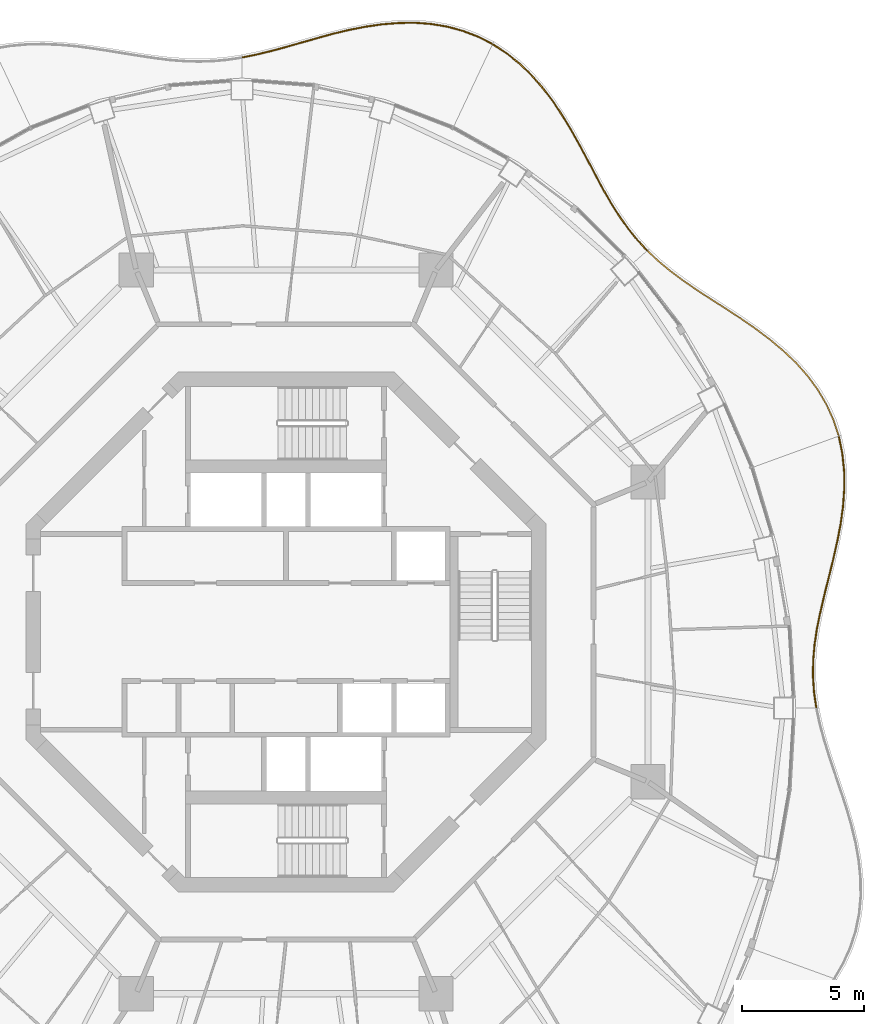
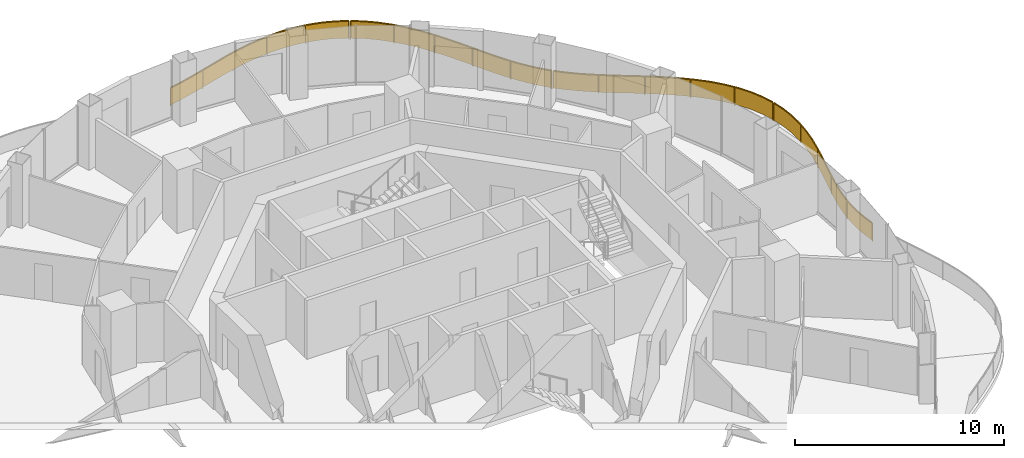
# One storey, part 17 of 17: 4 railings.
"""IFC4 building model written with IfcOpenShell, lengths in metres."""

from ifc_helpers import new_model, si_unit, direction, frame, origin, origin_2d, place, context, subcontext, project, spatial, polyline, rectangle, outline, extrude, material, type_object, element, save


model = new_model("IFC4")

# Units and contexts
model_context = context("Model", 3, precision=1e-05, world=origin(), true_north=direction((0.0, 1.0)))
body_context = subcontext(model_context, "Body", "Model", "MODEL_VIEW")
ifc_project = project(units=[si_unit("LENGTHUNIT", "METRE"), si_unit("AREAUNIT", "SQUARE_METRE"), si_unit("VOLUMEUNIT", "CUBIC_METRE"), si_unit("PLANEANGLEUNIT", "RADIAN"), si_unit("MASSUNIT", "GRAM", prefix="KILO")], contexts=[model_context])

# Site, building, storey
site_placement = place(None, origin())
site = spatial("IfcSite", under=ifc_project, at=site_placement, CompositionType="ELEMENT")
building_placement = place(site_placement, origin())
building = spatial("IfcBuilding", under=site, at=building_placement, Name="Nagisa Residences", CompositionType="ELEMENT")
storey_placement = place(building_placement, frame((0.0, 0.0, 288.10009765625)))
storey = spatial("IfcBuildingStorey", under=building, at=storey_placement, Name="L73", CompositionType="ELEMENT", Elevation=288.10009765625)

# Railings
ifc_material = material(Name="Stainless steel 316", Category="steel")
railing_type = type_object("IfcRailingType", Name="BALCONY GUARD 1100", PredefinedType="BALUSTRADE", material=ifc_material)
railing_1_placement = place(storey_placement, frame((21.653564453125, -3.0830078125, 0.0)))
element("IfcRailing", 1, at=railing_1_placement, inside=storey, type_object=railing_type, Name="guard:L73:bal00-0", PredefinedType="BALUSTRADE", context=body_context, shape_type="SweptSolid", body=[
    extrude(outline(polyline([(-0.11181640625, 0.6025390625), (-0.024658203125, -0.003662109375), (0.024658203125, 0.003662109375), (-0.06201171875, 0.60791015625), (-0.105224609375, 1.25146484375), (-0.098388671875, 1.897705078125), (-0.04296875, 2.550537109375), (0.055908203125, 3.213134765625), (0.192138671875, 3.87451171875), (0.35302734375, 4.563720703125), (0.528564453125, 5.267333984375), (0.706298828125, 5.985107421875), (0.8720703125, 6.71484375), (1.016357421875, 7.439697265625), (1.119140625, 8.18310546875), (1.17236328125, 8.926025390625), (1.165283203125, 9.662841796875), (1.09033203125, 10.3876953125), (0.95263671875, 11.0478515625), (0.90380859375, 11.03759765625), (1.041015625, 10.3798828125), (1.115478515625, 9.659912109375), (1.1220703125, 8.927490234375), (1.0693359375, 8.1884765625), (0.967041015625, 7.447998046875), (0.8232421875, 6.72509765625), (0.657470703125, 5.996826171875), (0.480224609375, 5.279541015625), (0.30419921875, 4.575439453125), (0.143310546875, 3.88525390625), (0.006591796875, 3.221923828125), (-0.0927734375, 2.556396484375), (-0.148193359375, 1.900146484375), (-0.155517578125, 1.25), (-0.11181640625, 0.6025390625)])), frame((0.0, 0.0, 1.050048828125)), (0.0, 0.0, 1.0), 0.050048828125),
    extrude(outline(polyline([(-0.093994140625, 0.6044921875), (-0.0068359375, -0.0009765625), (0.0068359375, 0.0009765625), (-0.079833984375, 0.60595703125), (-0.123291015625, 1.2509765625), (-0.1162109375, 1.898681640625), (-0.06103515625, 2.552734375), (0.0380859375, 3.21630859375), (0.174560546875, 3.87841796875), (0.33544921875, 4.56787109375), (0.51123046875, 5.271728515625), (0.688720703125, 5.9892578125), (0.8544921875, 6.718505859375), (0.99853515625, 7.442626953125), (1.101318359375, 8.18505859375), (1.154296875, 8.926513671875), (1.1474609375, 9.661865234375), (1.072509765625, 10.384765625), (0.93505859375, 11.044189453125), (0.92138671875, 11.041259765625), (1.058837890625, 10.3828125), (1.13330078125, 9.660888671875), (1.14013671875, 8.927001953125), (1.087158203125, 8.1865234375), (0.98486328125, 7.445068359375), (0.8408203125, 6.721435546875), (0.675048828125, 5.99267578125), (0.49755859375, 5.275146484375), (0.32177734375, 4.5712890625), (0.160888671875, 3.88134765625), (0.0244140625, 3.21875), (-0.07470703125, 2.55419921875), (-0.13037109375, 1.899169921875), (-0.137451171875, 1.25048828125), (-0.093994140625, 0.6044921875)])), frame((0.0, 0.0, 0.06005859375)), (0.0, 0.0, 1.0), 0.989990234375),
    extrude(rectangle(XDim=0.0400390625, YDim=0.0400390625, at=origin_2d()), origin(), (0.0, 0.0, 1.0), 1.050048828125),
    extrude(rectangle(XDim=0.0400390625, YDim=0.0400390625, at=origin_2d()), frame((-0.09521484375, 2.230224609375, 0.0)), (0.0, 0.0, 1.0), 1.050048828125),
    extrude(rectangle(XDim=0.0400390625, YDim=0.0400390625, at=origin_2d()), frame((0.296630859375, 4.43212890625, 0.0)), (0.0, 0.0, 1.0), 1.050048828125),
    extrude(rectangle(XDim=0.0400390625, YDim=0.0400390625, at=origin_2d()), frame((0.822265625, 6.608642578125, 0.0)), (0.0, 0.0, 1.0), 1.050048828125),
    extrude(rectangle(XDim=0.0400390625, YDim=0.0400390625, at=origin_2d()), frame((1.1396484375, 8.822021484375, 0.0)), (0.0, 0.0, 1.0), 1.050048828125),
    extrude(rectangle(XDim=0.0400390625, YDim=0.0400390625, at=origin_2d()), frame((0.92822265625, 11.042724609375, 0.0)), (0.0, 0.0, 1.0), 1.050048828125),
])
railing_2_placement = place(storey_placement, frame((22.56201171875, 8.03466796875, 0.0)))
element("IfcRailing", 2, at=railing_2_placement, inside=storey, type_object=railing_type, Name="guard:L73:bal01-0", PredefinedType="BALUSTRADE", context=body_context, shape_type="SweptSolid", body=[
    extrude(outline(polyline([(-0.223876953125, 0.606689453125), (-0.023681640625, -0.0078125), (0.023681640625, 0.0078125), (-0.177001953125, 0.624755859375), (-0.464111328125, 1.259765625), (-0.8193359375, 1.86376953125), (-1.238037109375, 2.4345703125), (-1.712890625, 2.97119140625), (-2.228759765625, 3.46044921875), (-2.788330078125, 3.9306640625), (-3.374267578125, 4.37158203125), (-3.975341796875, 4.7880859375), (-4.580078125, 5.185791015625), (-5.170166015625, 5.55908203125), (-5.75244140625, 5.93994140625), (-6.31103515625, 6.323486328125), (-6.840576171875, 6.717529296875), (-7.336181640625, 7.128173828125), (-7.767333984375, 7.533447265625), (-7.801513671875, 7.496826171875), (-7.369384765625, 7.090576171875), (-6.871337890625, 6.677978515625), (-6.34033203125, 6.282958984375), (-5.7802734375, 5.8984375), (-5.197021484375, 5.51708984375), (-4.607421875, 5.143798828125), (-4.003173828125, 4.74658203125), (-3.403564453125, 4.3310546875), (-2.819580078125, 3.8916015625), (-2.261962890625, 3.42333984375), (-1.7490234375, 2.9365234375), (-1.277099609375, 2.4033203125), (-0.861328125, 1.83642578125), (-0.508544921875, 1.23681640625), (-0.223876953125, 0.606689453125)])), frame((0.0, 0.0, 1.050048828125)), (0.0, 0.0, 1.0), 0.050048828125),
    extrude(outline(polyline([(-0.20703125, 0.61328125), (-0.006591796875, -0.002197265625), (0.006591796875, 0.002197265625), (-0.19384765625, 0.6181640625), (-0.480224609375, 1.25146484375), (-0.83447265625, 1.85400390625), (-1.252197265625, 2.42333984375), (-1.725830078125, 2.958740234375), (-2.24072265625, 3.447021484375), (-2.799560546875, 3.91650390625), (-3.384765625, 4.35693359375), (-3.9853515625, 4.773193359375), (-4.58984375, 5.170654296875), (-5.1796875, 5.5439453125), (-5.762451171875, 5.925048828125), (-6.321533203125, 6.308837890625), (-6.8515625, 6.703369140625), (-7.34814453125, 7.11474609375), (-7.779541015625, 7.520263671875), (-7.789306640625, 7.510009765625), (-7.357421875, 7.10400390625), (-6.8603515625, 6.692138671875), (-6.329833984375, 6.297607421875), (-5.770263671875, 5.913330078125), (-5.1875, 5.5322265625), (-4.59765625, 5.158935546875), (-3.9931640625, 4.761474609375), (-3.39306640625, 4.345703125), (-2.808349609375, 3.90576171875), (-2.25, 3.436767578125), (-1.736083984375, 2.948974609375), (-1.262939453125, 2.41455078125), (-0.84619140625, 1.84619140625), (-0.492431640625, 1.2451171875), (-0.20703125, 0.61328125)])), frame((0.0, 0.0, 0.06005859375)), (0.0, 0.0, 1.0), 0.989990234375),
    extrude(rectangle(XDim=0.0400390625, YDim=0.0400390625, at=origin_2d()), origin(), (0.0, 0.0, 1.0), 1.050048828125),
    extrude(rectangle(XDim=0.0400390625, YDim=0.0400390625, at=origin_2d()), frame((-0.941650390625, 1.988037109375, 0.0)), (0.0, 0.0, 1.0), 1.050048828125),
    extrude(rectangle(XDim=0.0400390625, YDim=0.0400390625, at=origin_2d()), frame((-2.439453125, 3.60498046875, 0.0)), (0.0, 0.0, 1.0), 1.050048828125),
    extrude(rectangle(XDim=0.0400390625, YDim=0.0400390625, at=origin_2d()), frame((-4.217041015625, 4.9169921875, 0.0)), (0.0, 0.0, 1.0), 1.050048828125),
    extrude(rectangle(XDim=0.0400390625, YDim=0.0400390625, at=origin_2d()), frame((-6.068115234375, 6.126220703125, 0.0)), (0.0, 0.0, 1.0), 1.050048828125),
    extrude(rectangle(XDim=0.0400390625, YDim=0.0400390625, at=origin_2d()), frame((-7.784423828125, 7.51513671875, 0.0)), (0.0, 0.0, 1.0), 1.050048828125),
])
railing_3_placement = place(storey_placement, frame((14.728759765625, 15.59814453125, 0.0)))
element("IfcRailing", 3, at=railing_3_placement, inside=storey, type_object=railing_type, Name="guard:L73:bal02-0", PredefinedType="BALUSTRADE", context=body_context, shape_type="SweptSolid", body=[
    extrude(outline(polyline([(-0.398681640625, 0.393310546875), (-0.018310546875, -0.01708984375), (0.018310546875, 0.01708984375), (-0.360595703125, 0.426025390625), (-0.739013671875, 0.893798828125), (-1.092529296875, 1.390869140625), (-1.426025390625, 1.91748046875), (-1.746337890625, 2.471435546875), (-2.04833984375, 3.038330078125), (-2.36376953125, 3.634521484375), (-2.688720703125, 4.242431640625), (-3.02978515625, 4.853515625), (-3.39404296875, 5.45947265625), (-3.775146484375, 6.0419921875), (-4.200927734375, 6.607177734375), (-4.66552734375, 7.138427734375), (-5.16845703125, 7.625732421875), (-5.71044921875, 8.06103515625), (-6.248779296875, 8.41162109375), (-6.276123046875, 8.36962890625), (-5.73974609375, 8.0205078125), (-5.20166015625, 7.588134765625), (-4.70166015625, 7.103759765625), (-4.239990234375, 6.575439453125), (-3.816162109375, 6.01318359375), (-3.4365234375, 5.43310546875), (-3.0732421875, 4.82861328125), (-2.732666015625, 4.218505859375), (-2.408203125, 3.611083984375), (-2.0927734375, 3.014892578125), (-1.790283203125, 2.447021484375), (-1.468994140625, 1.8916015625), (-1.134033203125, 1.363037109375), (-0.779052734375, 0.863525390625), (-0.398681640625, 0.393310546875)])), frame((0.0, 0.0, 1.050048828125)), (0.0, 0.0, 1.0), 0.050048828125),
    extrude(outline(polyline([(-0.385009765625, 0.405029296875), (-0.005126953125, -0.004638671875), (0.005126953125, 0.004638671875), (-0.374267578125, 0.414306640625), (-0.75341796875, 0.8828125), (-1.107421875, 1.380859375), (-1.44140625, 1.908203125), (-1.76220703125, 2.462646484375), (-2.064453125, 3.02978515625), (-2.3798828125, 3.6259765625), (-2.70458984375, 4.23388671875), (-3.04541015625, 4.844482421875), (-3.409423828125, 5.449951171875), (-3.7900390625, 6.031494140625), (-4.215087890625, 6.595703125), (-4.678466796875, 7.1259765625), (-5.180419921875, 7.6123046875), (-5.720947265625, 8.04638671875), (-6.258544921875, 8.396484375), (-6.266357421875, 8.384765625), (-5.729248046875, 8.03515625), (-5.189697265625, 7.6015625), (-4.688720703125, 7.1162109375), (-4.225830078125, 6.5869140625), (-3.80126953125, 6.023681640625), (-3.421142578125, 5.442626953125), (-3.0576171875, 4.837646484375), (-2.716796875, 4.22705078125), (-2.39208984375, 3.61962890625), (-2.07666015625, 3.0234375), (-1.7744140625, 2.455810546875), (-1.45361328125, 1.90087890625), (-1.119140625, 1.373046875), (-0.7646484375, 0.87451171875), (-0.385009765625, 0.405029296875)])), frame((0.0, 0.0, 0.06005859375)), (0.0, 0.0, 1.0), 0.989990234375),
    extrude(rectangle(XDim=0.0400390625, YDim=0.0400390625, at=origin_2d()), origin(), (0.0, 0.0, 1.0), 1.050048828125),
    extrude(rectangle(XDim=0.0400390625, YDim=0.0400390625, at=origin_2d()), frame((-1.29736328125, 1.667724609375, 0.0)), (0.0, 0.0, 1.0), 1.050048828125),
    extrude(rectangle(XDim=0.0400390625, YDim=0.0400390625, at=origin_2d()), frame((-2.329345703125, 3.515625, 0.0)), (0.0, 0.0, 1.0), 1.050048828125),
    extrude(rectangle(XDim=0.0400390625, YDim=0.0400390625, at=origin_2d()), frame((-3.36474609375, 5.362060546875, 0.0)), (0.0, 0.0, 1.0), 1.050048828125),
    extrude(rectangle(XDim=0.0400390625, YDim=0.0400390625, at=origin_2d()), frame((-4.62744140625, 7.056884765625, 0.0)), (0.0, 0.0, 1.0), 1.050048828125),
    extrude(rectangle(XDim=0.0400390625, YDim=0.0400390625, at=origin_2d()), frame((-6.262451171875, 8.390625, 0.0)), (0.0, 0.0, 1.0), 1.050048828125),
])
railing_4_placement = place(storey_placement, frame((8.3994140625, 24.027587890625, 0.0)))
element("IfcRailing", 4, at=railing_4_placement, inside=storey, type_object=railing_type, Name="guard:L73:bal03-0", PredefinedType="BALUSTRADE", context=body_context, shape_type="SweptSolid", body=[
    extrude(outline(polyline([(-0.556884765625, 0.2568359375), (-0.011474609375, -0.022216796875), (0.011474609375, 0.022216796875), (-0.536376953125, 0.302734375), (-1.156494140625, 0.5419921875), (-1.800537109375, 0.717041015625), (-2.463623046875, 0.8291015625), (-3.1396484375, 0.880126953125), (-3.806884765625, 0.86962890625), (-4.4931640625, 0.813720703125), (-5.17626953125, 0.714599609375), (-5.852783203125, 0.580810546875), (-6.518798828125, 0.421630859375), (-7.154052734375, 0.244384765625), (-7.792236328125, 0.063720703125), (-8.416015625, -0.11328125), (-9.02587890625, -0.278076171875), (-9.6240234375, -0.422607421875), (-10.169921875, -0.53369140625), (-10.16015625, -0.58251953125), (-9.61328125, -0.471435546875), (-9.013671875, -0.326416015625), (-8.40283203125, -0.16162109375), (-7.778564453125, 0.015380859375), (-7.140380859375, 0.196044921875), (-6.506103515625, 0.373291015625), (-5.842041015625, 0.531982421875), (-5.16796875, 0.665283203125), (-4.4873046875, 0.763916015625), (-3.804443359375, 0.81982421875), (-3.14111328125, 0.829833984375), (-2.469482421875, 0.779296875), (-1.811279296875, 0.668212890625), (-1.172119140625, 0.494140625), (-0.556884765625, 0.2568359375)])), frame((0.0, 0.0, 1.050048828125)), (0.0, 0.0, 1.0), 0.050048828125),
    extrude(outline(polyline([(-0.549560546875, 0.2734375), (-0.003173828125, -0.00634765625), (0.003173828125, 0.00634765625), (-0.543701171875, 0.2861328125), (-1.162109375, 0.524658203125), (-1.804443359375, 0.699462890625), (-2.4658203125, 0.81103515625), (-3.14013671875, 0.862060546875), (-3.805908203125, 0.851806640625), (-4.490966796875, 0.7958984375), (-5.17333984375, 0.69677734375), (-5.848876953125, 0.563232421875), (-6.51416015625, 0.404296875), (-7.149169921875, 0.22705078125), (-7.787353515625, 0.04638671875), (-8.411376953125, -0.130615234375), (-9.021484375, -0.29541015625), (-9.6201171875, -0.440185546875), (-10.16650390625, -0.55126953125), (-10.16357421875, -0.56494140625), (-9.6171875, -0.453857421875), (-9.01806640625, -0.30908203125), (-8.407470703125, -0.144287109375), (-7.783447265625, 0.03271484375), (-7.145263671875, 0.21337890625), (-6.5107421875, 0.390625), (-5.845947265625, 0.549560546875), (-5.1708984375, 0.68310546875), (-4.489501953125, 0.78173828125), (-3.805419921875, 0.837646484375), (-3.140625, 0.847900390625), (-2.46728515625, 0.79736328125), (-1.807373046875, 0.685791015625), (-1.16650390625, 0.511474609375), (-0.549560546875, 0.2734375)])), frame((0.0, 0.0, 0.06005859375)), (0.0, 0.0, 1.0), 0.989990234375),
    extrude(rectangle(XDim=0.0400390625, YDim=0.0400390625, at=origin_2d()), origin(), (0.0, 0.0, 1.0), 1.050048828125),
    extrude(rectangle(XDim=0.0400390625, YDim=0.0400390625, at=origin_2d()), frame((-1.9580078125, 0.71826171875, 0.0)), (0.0, 0.0, 1.0), 1.050048828125),
    extrude(rectangle(XDim=0.0400390625, YDim=0.0400390625, at=origin_2d()), frame((-4.04345703125, 0.8251953125, 0.0)), (0.0, 0.0, 1.0), 1.050048828125),
    extrude(rectangle(XDim=0.0400390625, YDim=0.0400390625, at=origin_2d()), frame((-6.10986328125, 0.49365234375, 0.0)), (0.0, 0.0, 1.0), 1.050048828125),
    extrude(rectangle(XDim=0.0400390625, YDim=0.0400390625, at=origin_2d()), frame((-8.130859375, -0.058349609375, 0.0)), (0.0, 0.0, 1.0), 1.050048828125),
    extrude(rectangle(XDim=0.0400390625, YDim=0.0400390625, at=origin_2d()), frame((-10.1650390625, -0.55810546875, 0.0)), (0.0, 0.0, 1.0), 1.050048828125),
])

save(model, "model.ifc")
